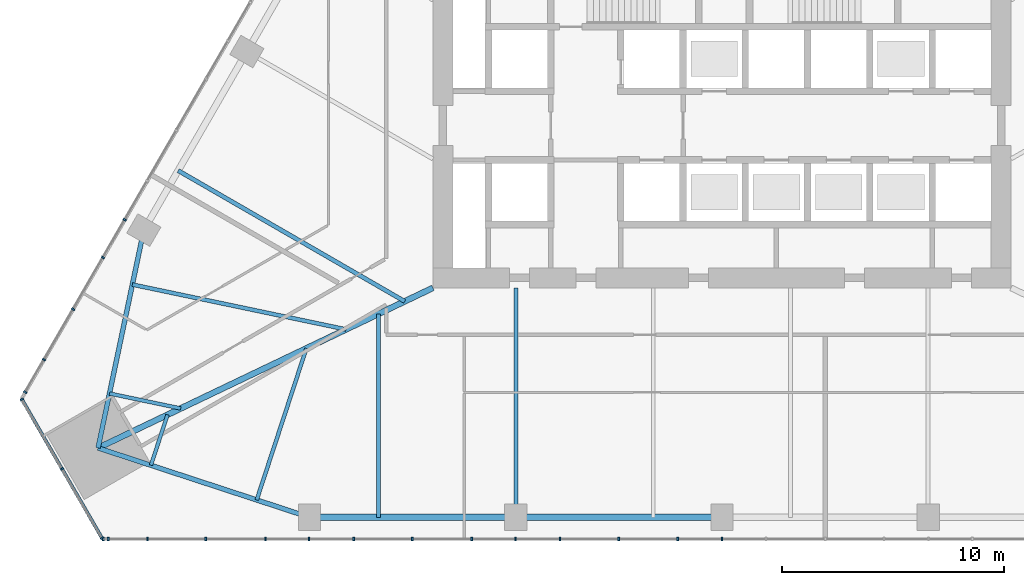
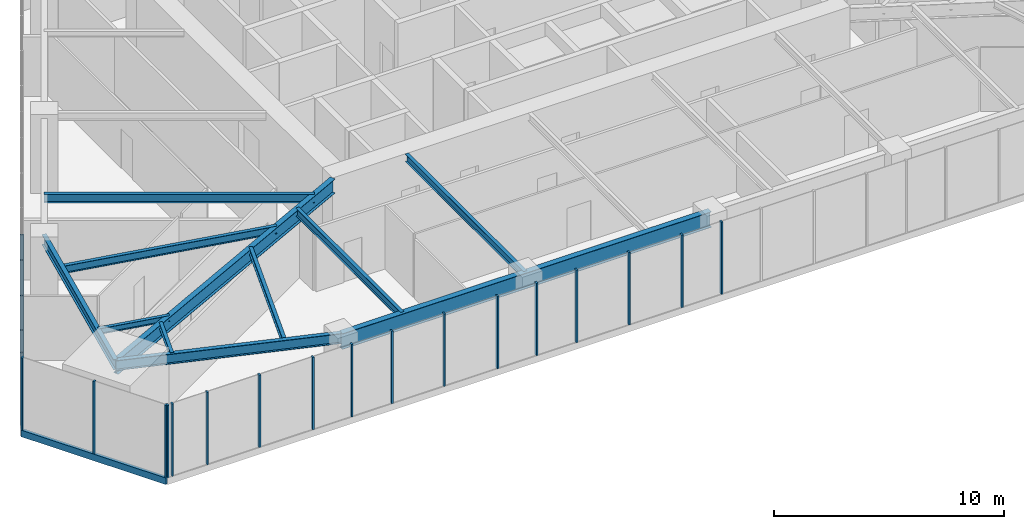
# One storey, part 2 of 22: 23 members, 11 beams, 3 elements without a shape of their own.
"""IFC4 building model written with IfcOpenShell, lengths in metres."""

import ifcopenshell
import ifcopenshell.guid

model = None  # the IFC model being written
_history = None  # IfcOwnerHistory: only IFC2X3 demands one
_inside = {}  # id of a spatial element -> (the spatial element, [elements in it])
_under = {}  # id of a project, library or spatial element -> (it, [spatial elements below it])
_declared = {}  # id of a project -> (the project, [libraries it declares])
_typed = {}  # id of a type object -> (the type object, [elements of that type])
_made_of = {}  # id of a material, layer set ... -> (it, [elements and type objects made of it])


def new_model(schema):
    """Start an empty IFC model of exactly this schema.

    Asked for "IFC4X3", IfcOpenShell would pick the latest addendum, in which some entities
    have other attributes; the version numbers below select the first issue.
    IFC2X3 requires an IfcOwnerHistory on every rooted entity: one is made here for all.
    """
    global model, _history
    if schema == "IFC4X3":
        model = ifcopenshell.file(schema_version=(4, 3, 0, 0))
    else:
        model = ifcopenshell.file(schema=schema)
    _inside.clear()
    _under.clear()
    _declared.clear()
    _typed.clear()
    _made_of.clear()
    _history = None
    if model.schema == "IFC2X3":
        org = make("IfcOrganization", Name="unknown")
        user = make(
            "IfcPersonAndOrganization",
            ThePerson=make("IfcPerson", FamilyName="unknown"),
            TheOrganization=org,
        )
        app = make(
            "IfcApplication",
            ApplicationDeveloper=org,
            Version="unknown",
            ApplicationFullName="unknown",
            ApplicationIdentifier="unknown",
        )
        _history = make(
            "IfcOwnerHistory",
            OwningUser=user,
            OwningApplication=app,
            ChangeAction="ADDED",
            CreationDate=0,
        )
    return model


def make(cls, **values):
    """One entity of the class cls with the attributes given. An attribute that is None is left unset."""
    return model.create_entity(
        cls, **{name: value for name, value in values.items() if value is not None}
    )


def rooted(cls, **values):
    """An entity with a GlobalId (a new one), such as an element, a storey or a relation."""
    return make(cls, GlobalId=ifcopenshell.guid.new(), OwnerHistory=_history, **values)


def si_unit(unit_type, name, prefix=None):
    """IfcSIUnit, for example si_unit("LENGTHUNIT", "METRE", prefix="MILLI")."""
    return make("IfcSIUnit", UnitType=unit_type, Prefix=prefix, Name=name)


def assignment(units):
    """IfcUnitAssignment: the units of a project."""
    return None if units is None else make("IfcUnitAssignment", Units=units)


def point(xyz):
    """IfcCartesianPoint."""
    return None if xyz is None else make("IfcCartesianPoint", Coordinates=xyz)


def direction(xyz):
    """IfcDirection."""
    return None if xyz is None else make("IfcDirection", DirectionRatios=xyz)


def frame(location, z_axis=None, x_axis=None):
    """IfcAxis2Placement3D, a coordinate frame: its origin and axes. An axis left out is left unset."""
    return make(
        "IfcAxis2Placement3D",
        Location=point(location),
        Axis=direction(z_axis),
        RefDirection=direction(x_axis),
    )


def frame_2d(location, x_axis=None):
    """IfcAxis2Placement2D, a coordinate frame in the plane: its origin and x axis."""
    return make(
        "IfcAxis2Placement2D", Location=point(location), RefDirection=direction(x_axis)
    )


def origin():
    """The frame at (0, 0, 0) with its axes left unset."""
    return frame((0.0, 0.0, 0.0))


def origin_2d():
    """The frame at (0, 0) in the plane with its x axis left unset."""
    return frame_2d((0.0, 0.0))


def place(relative_to, where):
    """IfcLocalPlacement: puts the frame where relative to a parent placement (None: the world)."""
    return make(
        "IfcLocalPlacement", PlacementRelTo=relative_to, RelativePlacement=where
    )


def context(
    kind, dimensions, precision=None, world=None, true_north=None, identifier=None
):
    """IfcGeometricRepresentationContext, for example the 3D "Model" context."""
    return make(
        "IfcGeometricRepresentationContext",
        ContextIdentifier=identifier,
        ContextType=kind,
        CoordinateSpaceDimension=dimensions,
        Precision=precision,
        WorldCoordinateSystem=world,
        TrueNorth=true_north,
    )


def subcontext(parent, identifier, kind, view, scale=None):
    """IfcGeometricRepresentationSubContext, for example "Body" below "Model"."""
    return make(
        "IfcGeometricRepresentationSubContext",
        ContextIdentifier=identifier,
        ContextType=kind,
        ParentContext=parent,
        TargetScale=scale,
        TargetView=view,
    )


def project(units=None, contexts=None):
    """IfcProject with its units and contexts."""
    return rooted(
        "IfcProject",
        Name="project",
        RepresentationContexts=contexts,
        UnitsInContext=assignment(units),
    )


def spatial(cls, under=None, at=None, **own):
    """A site, building, storey or space (cls), placed at a placement, below another one or the project."""
    s = rooted(cls, ObjectPlacement=at, **own)
    if under is not None:
        _under.setdefault(under.id(), (under, []))[1].append(s)
    return s


def profile(cls, at=None, kind="AREA", **sizes):
    """A parametric profile (cls). Its sizes go by their IFC names, for example OverallWidth=200.0."""
    return make(cls, ProfileType=kind, Position=at, **sizes)


def rectangle(**sizes):
    """IfcRectangleProfileDef."""
    return profile("IfcRectangleProfileDef", **sizes)


def i_section(**sizes):
    """IfcIShapeProfileDef."""
    return profile("IfcIShapeProfileDef", **sizes)


def extrude(swept, where, along, depth):
    """IfcExtrudedAreaSolid: the profile swept, set in the frame where, extruded along a direction by depth."""
    return make(
        "IfcExtrudedAreaSolid",
        SweptArea=swept,
        Position=where,
        ExtrudedDirection=direction(along),
        Depth=depth,
    )


def shape(context_of_items, identifier, shape_type, items):
    """IfcShapeRepresentation: the items that make up one representation, for example the "Body"."""
    return make(
        "IfcShapeRepresentation",
        ContextOfItems=context_of_items,
        RepresentationIdentifier=identifier,
        RepresentationType=shape_type,
        Items=items,
    )


def material(Name=None, Category=None):
    """IfcMaterial."""
    return make("IfcMaterial", Name=Name, Category=Category)


def layer(
    of_material, thickness, ventilated=None, Name=None, Category=None, Priority=None
):
    """IfcMaterialLayer: one layer of a wall or slab, of a material (None: an air gap)."""
    return make(
        "IfcMaterialLayer",
        Material=of_material,
        LayerThickness=thickness,
        IsVentilated=ventilated,
        Name=Name,
        Category=Category,
        Priority=Priority,
    )


def layer_set(layers, Name=None):
    """IfcMaterialLayerSet."""
    return make("IfcMaterialLayerSet", MaterialLayers=layers, LayerSetName=Name)


def material_profile(
    of_material, cross_section, Name=None, Category=None, Priority=None
):
    """IfcMaterialProfile: a cross section and its material."""
    return make(
        "IfcMaterialProfile",
        Name=Name,
        Material=of_material,
        Profile=cross_section,
        Priority=Priority,
        Category=Category,
    )


def profile_set(profiles, Name=None, composite=None):
    """IfcMaterialProfileSet."""
    return make(
        "IfcMaterialProfileSet",
        Name=Name,
        MaterialProfiles=profiles,
        CompositeProfile=composite,
    )


def made_of(thing, what):
    """Note that an element or type object is made of a material, layer set ...; save() writes the relation."""
    if what is not None:
        _made_of.setdefault(what.id(), (what, []))[1].append(thing)
    return thing


def type_object(cls, material=None, **own):
    """A type object (cls), such as IfcWallType, which elements share."""
    return made_of(rooted(cls, **own), material)


def element(
    cls,
    number,
    at=None,
    inside=None,
    cuts=None,
    type_object=None,
    material=None,
    context=None,
    identifier="Body",
    shape_type=None,
    held_by="IfcProductDefinitionShape",
    body=None,
    shapes=None,
    **own,
):
    """One element of the class cls, such as IfcWall. Its Tag is "e" and its number.

    at: its placement. inside: the storey or other place that contains it. cuts: it is an
    opening in that element (IfcRelVoidsElement). A single representation is given by context,
    identifier, shape_type and body (its items); several are given by shapes. held_by: the class
    of the entity that holds the representations. save() writes the other relations.
    """
    e = rooted(cls, Tag="e%d" % number, ObjectPlacement=at, **own)
    if body is not None:
        shapes = [shape(context, identifier, shape_type, body)]
    if shapes is not None:
        e.Representation = make(held_by, Representations=shapes)
    if inside is not None:
        _inside.setdefault(inside.id(), (inside, []))[1].append(e)
    if cuts is not None:
        rooted(
            "IfcRelVoidsElement", RelatingBuildingElement=cuts, RelatedOpeningElement=e
        )
    if type_object is not None:
        _typed.setdefault(type_object.id(), (type_object, []))[1].append(e)
    return made_of(e, material)


def aggregate(whole, parts):
    """IfcRelAggregates: a whole, such as a stair, and the parts it consists of."""
    return rooted("IfcRelAggregates", RelatingObject=whole, RelatedObjects=parts)


def save(model, path):
    """Write the relations noted so far, then the file.

    IfcRelAggregates (storeys below a building ...), IfcRelContainedInSpatialStructure (elements
    in a storey), IfcRelDefinesByType, IfcRelAssociatesMaterial and IfcRelDeclares: one each for
    every whole, place, type object, material and project.
    """
    for whole, parts in _under.values():
        aggregate(whole, parts)
    for where, things in _inside.values():
        rooted(
            "IfcRelContainedInSpatialStructure",
            RelatedElements=things,
            RelatingStructure=where,
        )
    for kind, things in _typed.values():
        rooted("IfcRelDefinesByType", RelatedObjects=things, RelatingType=kind)
    for what, things in _made_of.values():
        rooted("IfcRelAssociatesMaterial", RelatedObjects=things, RelatingMaterial=what)
    for by, libraries in _declared.values():
        rooted("IfcRelDeclares", RelatingContext=by, RelatedDefinitions=libraries)
    model.write(path)


model = new_model("IFC4")

# Units and contexts
model_context = context("Model", 3, precision=1e-05, world=origin(), true_north=direction((0.0, 1.0)))
body_context = subcontext(model_context, "Body", "Model", "MODEL_VIEW")
ifc_project = project(units=[si_unit("LENGTHUNIT", "METRE"), si_unit("AREAUNIT", "SQUARE_METRE"), si_unit("VOLUMEUNIT", "CUBIC_METRE"), si_unit("PLANEANGLEUNIT", "RADIAN"), si_unit("MASSUNIT", "GRAM", prefix="KILO")], contexts=[model_context])

# Site, building, storey
site_placement = place(None, origin())
site = spatial("IfcSite", under=ifc_project, at=site_placement, CompositionType="ELEMENT")
building_placement = place(site_placement, origin())
building = spatial("IfcBuilding", under=site, at=building_placement, Name="Firuza Gate Tower and Library", CompositionType="ELEMENT")
storey_placement = place(building_placement, frame((0.0, 0.0, 132.39990234375)))
storey = spatial("IfcBuildingStorey", under=building, at=storey_placement, Name="L30", CompositionType="ELEMENT", Elevation=132.39990234375)

# Curtain wall, members
ifc_material_1 = material(Name="Aluminium 6063-T6", Category="aluminium")
ifc_layer_1 = layer(ifc_material_1, 0.14990234375)
ifc_layer_set_1 = layer_set([ifc_layer_1], Name="Unitised curtain wall, offices")
curtain_wall_type_1 = type_object("IfcCurtainWallType", Name="Unitised curtain wall, offices", PredefinedType="NOTDEFINED", material=ifc_layer_set_1)
placement = place(storey_placement, origin())
curtain_wall_1 = element("IfcCurtainWall", 1, at=placement, inside=storey, type_object=curtain_wall_type_1, Name="CW1 L30 S face", PredefinedType="NOTDEFINED")
ifc_material_2 = material(Name="Aluminium 6063-T6", Category="aluminium")
ifc_material_profile_1 = material_profile(ifc_material_2, rectangle(XDim=0.14990234375, YDim=0.080078125, at=origin_2d()))
ifc_profile_set_1 = profile_set([ifc_material_profile_1], Name="Aluminium 6063-T6")
member_type_1 = type_object("IfcMemberType", Name="Curtain wall mullion 80x150", PredefinedType="MULLION", material=ifc_profile_set_1)
member_1_placement = place(storey_placement, frame((47.179931640625, 54.7080078125, 0.150146484375), z_axis=(0.0, 0.0, 1.0), x_axis=(0.0, 1.0, 0.0)))
member_1 = element("IfcMember", 2, at=member_1_placement, type_object=member_type_1, Name="Mullion", PredefinedType="MULLION", context=body_context, shape_type="SweptSolid", body=[
    extrude(rectangle(XDim=0.14990234375, YDim=0.080078125, at=origin_2d()), origin(), (0.0, 0.0, 1.0), 3.849853515625),
])
member_2_placement = place(storey_placement, frame((51.783203125, 54.7080078125, 0.150146484375), z_axis=(0.0, 0.0, 1.0), x_axis=(0.0, 1.0, 0.0)))
member_2 = element("IfcMember", 3, at=member_2_placement, type_object=member_type_1, Name="Mullion", PredefinedType="MULLION", context=body_context, shape_type="SweptSolid", body=[
    extrude(rectangle(XDim=0.14990234375, YDim=0.080078125, at=origin_2d()), origin(), (0.0, 0.0, 1.0), 3.849853515625),
])
member_3_placement = place(storey_placement, frame((56.426513671875, 54.7080078125, 0.150146484375), z_axis=(0.0, 0.0, 1.0), x_axis=(0.0, 1.0, 0.0)))
member_3 = element("IfcMember", 4, at=member_3_placement, type_object=member_type_1, Name="Mullion", PredefinedType="MULLION", context=body_context, shape_type="SweptSolid", body=[
    extrude(rectangle(XDim=0.14990234375, YDim=0.080078125, at=origin_2d()), origin(), (0.0, 0.0, 1.0), 3.849853515625),
])
member_4_placement = place(storey_placement, frame((61.06982421875, 54.7080078125, 0.150146484375), z_axis=(0.0, 0.0, 1.0), x_axis=(0.0, 1.0, 0.0)))
member_4 = element("IfcMember", 5, at=member_4_placement, type_object=member_type_1, Name="Mullion", PredefinedType="MULLION", context=body_context, shape_type="SweptSolid", body=[
    extrude(rectangle(XDim=0.14990234375, YDim=0.080078125, at=origin_2d()), origin(), (0.0, 0.0, 1.0), 3.849853515625),
])
member_5_placement = place(storey_placement, frame((65.71337890625, 54.7080078125, 0.150146484375), z_axis=(0.0, 0.0, 1.0), x_axis=(0.0, 1.0, 0.0)))
member_5 = element("IfcMember", 6, at=member_5_placement, type_object=member_type_1, Name="Mullion", PredefinedType="MULLION", context=body_context, shape_type="SweptSolid", body=[
    extrude(rectangle(XDim=0.14990234375, YDim=0.080078125, at=origin_2d()), origin(), (0.0, 0.0, 1.0), 3.849853515625),
])
member_6_placement = place(storey_placement, frame((70.356689453125, 54.7080078125, 0.150146484375), z_axis=(0.0, 0.0, 1.0), x_axis=(0.0, 1.0, 0.0)))
member_6 = element("IfcMember", 7, at=member_6_placement, type_object=member_type_1, Name="Mullion", PredefinedType="MULLION", context=body_context, shape_type="SweptSolid", body=[
    extrude(rectangle(XDim=0.14990234375, YDim=0.080078125, at=origin_2d()), origin(), (0.0, 0.0, 1.0), 3.849853515625),
])
member_7_placement = place(storey_placement, frame((75.0, 54.7080078125, 0.150146484375), z_axis=(0.0, 0.0, 1.0), x_axis=(0.0, 1.0, 0.0)))
member_7 = element("IfcMember", 8, at=member_7_placement, type_object=member_type_1, Name="Mullion", PredefinedType="MULLION", context=body_context, shape_type="SweptSolid", body=[
    extrude(rectangle(XDim=0.14990234375, YDim=0.080078125, at=origin_2d()), origin(), (0.0, 0.0, 1.0), 3.849853515625),
])
member_8_placement = place(storey_placement, frame((47.406005859375, 54.7080078125, 0.150146484375), z_axis=(0.0, 0.0, 1.0), x_axis=(0.0, 1.0, 0.0)))
member_8 = element("IfcMember", 9, at=member_8_placement, type_object=member_type_1, Name="Mullion", PredefinedType="MULLION", context=body_context, shape_type="SweptSolid", body=[
    extrude(rectangle(XDim=0.14990234375, YDim=0.080078125, at=origin_2d()), origin(), (0.0, 0.0, 1.0), 3.849853515625),
])
member_9_placement = place(storey_placement, frame((49.166748046875, 54.7080078125, 0.150146484375), z_axis=(0.0, 0.0, 1.0), x_axis=(0.0, 1.0, 0.0)))
member_9 = element("IfcMember", 10, at=member_9_placement, type_object=member_type_1, Name="Mullion", PredefinedType="MULLION", context=body_context, shape_type="SweptSolid", body=[
    extrude(rectangle(XDim=0.14990234375, YDim=0.080078125, at=origin_2d()), origin(), (0.0, 0.0, 1.0), 3.849853515625),
])
member_10_placement = place(storey_placement, frame((54.4716796875, 54.7080078125, 0.150146484375), z_axis=(0.0, 0.0, 1.0), x_axis=(0.0, 1.0, 0.0)))
member_10 = element("IfcMember", 11, at=member_10_placement, type_object=member_type_1, Name="Mullion", PredefinedType="MULLION", context=body_context, shape_type="SweptSolid", body=[
    extrude(rectangle(XDim=0.14990234375, YDim=0.080078125, at=origin_2d()), origin(), (0.0, 0.0, 1.0), 3.849853515625),
])
member_11_placement = place(storey_placement, frame((58.439208984375, 54.7080078125, 0.150146484375), z_axis=(0.0, 0.0, 1.0), x_axis=(0.0, 1.0, 0.0)))
member_11 = element("IfcMember", 12, at=member_11_placement, type_object=member_type_1, Name="Mullion", PredefinedType="MULLION", context=body_context, shape_type="SweptSolid", body=[
    extrude(rectangle(XDim=0.14990234375, YDim=0.080078125, at=origin_2d()), origin(), (0.0, 0.0, 1.0), 3.849853515625),
])
member_12_placement = place(storey_placement, frame((63.744140625, 54.7080078125, 0.150146484375), z_axis=(0.0, 0.0, 1.0), x_axis=(0.0, 1.0, 0.0)))
member_12 = element("IfcMember", 13, at=member_12_placement, type_object=member_type_1, Name="Mullion", PredefinedType="MULLION", context=body_context, shape_type="SweptSolid", body=[
    extrude(rectangle(XDim=0.14990234375, YDim=0.080078125, at=origin_2d()), origin(), (0.0, 0.0, 1.0), 3.849853515625),
])
member_13_placement = place(storey_placement, frame((67.71142578125, 54.7080078125, 0.150146484375), z_axis=(0.0, 0.0, 1.0), x_axis=(0.0, 1.0, 0.0)))
member_13 = element("IfcMember", 14, at=member_13_placement, type_object=member_type_1, Name="Mullion", PredefinedType="MULLION", context=body_context, shape_type="SweptSolid", body=[
    extrude(rectangle(XDim=0.14990234375, YDim=0.080078125, at=origin_2d()), origin(), (0.0, 0.0, 1.0), 3.849853515625),
])
member_14_placement = place(storey_placement, frame((73.016357421875, 54.7080078125, 0.150146484375), z_axis=(0.0, 0.0, 1.0), x_axis=(0.0, 1.0, 0.0)))
member_14 = element("IfcMember", 15, at=member_14_placement, type_object=member_type_1, Name="Mullion", PredefinedType="MULLION", context=body_context, shape_type="SweptSolid", body=[
    extrude(rectangle(XDim=0.14990234375, YDim=0.080078125, at=origin_2d()), origin(), (0.0, 0.0, 1.0), 3.849853515625),
])
aggregate(curtain_wall_1, [member_1, member_2, member_3, member_4, member_5, member_6, member_7, member_8, member_9, member_10, member_11, member_12, member_13, member_14])

curtain_wall_2 = element("IfcCurtainWall", 16, at=placement, inside=storey, type_object=curtain_wall_type_1, Name="CW1 L30 W face", PredefinedType="NOTDEFINED")
member_15_placement = place(storey_placement, frame((48.139892578125, 69.06103515625, 0.150146484375), z_axis=(0.0, 0.0, 1.0), x_axis=(0.866025403784, -0.5, 0.0)))
member_15 = element("IfcMember", 17, at=member_15_placement, type_object=member_type_1, Name="Mullion", PredefinedType="MULLION", context=body_context, shape_type="SweptSolid", body=[
    extrude(rectangle(XDim=0.14990234375, YDim=0.080078125, at=origin_2d()), origin(), (0.0, 0.0, 1.0), 3.849853515625),
])
member_16_placement = place(storey_placement, frame((45.818115234375, 65.03955078125, 0.150146484375), z_axis=(0.0, 0.0, 1.0), x_axis=(0.866025403784, -0.5, 0.0)))
member_16 = element("IfcMember", 18, at=member_16_placement, type_object=member_type_1, Name="Mullion", PredefinedType="MULLION", context=body_context, shape_type="SweptSolid", body=[
    extrude(rectangle(XDim=0.14990234375, YDim=0.080078125, at=origin_2d()), origin(), (0.0, 0.0, 1.0), 3.849853515625),
])
member_17_placement = place(storey_placement, frame((47.16259765625, 67.367919921875, 0.150146484375), z_axis=(0.0, 0.0, 1.0), x_axis=(0.866025403784, -0.5, 0.0)))
member_17 = element("IfcMember", 19, at=member_17_placement, type_object=member_type_1, Name="Mullion", PredefinedType="MULLION", context=body_context, shape_type="SweptSolid", body=[
    extrude(rectangle(XDim=0.14990234375, YDim=0.080078125, at=origin_2d()), origin(), (0.0, 0.0, 1.0), 3.849853515625),
])
member_18_placement = place(storey_placement, frame((44.510009765625, 62.77392578125, 0.150146484375), z_axis=(0.0, 0.0, 1.0), x_axis=(0.866025403784, -0.5, 0.0)))
member_18 = element("IfcMember", 20, at=member_18_placement, type_object=member_type_1, Name="Mullion", PredefinedType="MULLION", context=body_context, shape_type="SweptSolid", body=[
    extrude(rectangle(XDim=0.14990234375, YDim=0.080078125, at=origin_2d()), origin(), (0.0, 0.0, 1.0), 3.849853515625),
])
member_19_placement = place(storey_placement, frame((43.662109375, 61.30517578125, 0.150146484375), z_axis=(0.0, 0.0, 1.0), x_axis=(0.866025403784, -0.5, 0.0)))
member_19 = element("IfcMember", 21, at=member_19_placement, type_object=member_type_1, Name="Mullion", PredefinedType="MULLION", context=body_context, shape_type="SweptSolid", body=[
    extrude(rectangle(XDim=0.14990234375, YDim=0.080078125, at=origin_2d()), origin(), (0.0, 0.0, 1.0), 3.849853515625),
])
aggregate(curtain_wall_2, [member_15, member_16, member_17, member_18, member_19])

ifc_material_3 = material(Name="Aluminium 6063-T6", Category="aluminium")
ifc_layer_2 = layer(ifc_material_3, 0.14990234375)
ifc_layer_set_2 = layer_set([ifc_layer_2], Name="Corner curtain wall, chamfers")
curtain_wall_type_2 = type_object("IfcCurtainWallType", Name="Corner curtain wall, chamfers", PredefinedType="NOTDEFINED", material=ifc_layer_set_2)
curtain_wall_3 = element("IfcCurtainWall", 22, at=placement, inside=storey, type_object=curtain_wall_type_2, Name="CW4 L30 SW corner", PredefinedType="NOTDEFINED")
member_20_placement = place(storey_placement, frame((43.5166015625, 60.983642578125, 0.150146484375), z_axis=(0.0, 0.0, 1.0), x_axis=(0.866025403784, 0.5, 0.0)))
member_20 = element("IfcMember", 23, at=member_20_placement, type_object=member_type_1, Name="Mullion", PredefinedType="MULLION", context=body_context, shape_type="SweptSolid", body=[
    extrude(rectangle(XDim=0.14990234375, YDim=0.080078125, at=origin_2d()), origin(), (0.0, 0.0, 1.0), 3.849853515625),
])
member_21_placement = place(storey_placement, frame((45.318115234375, 57.86328125, 0.150146484375), z_axis=(0.0, 0.0, 1.0), x_axis=(0.866025403784, 0.5, 0.0)))
member_21 = element("IfcMember", 24, at=member_21_placement, type_object=member_type_1, Name="Mullion", PredefinedType="MULLION", context=body_context, shape_type="SweptSolid", body=[
    extrude(rectangle(XDim=0.14990234375, YDim=0.080078125, at=origin_2d()), origin(), (0.0, 0.0, 1.0), 3.849853515625),
])
member_22_placement = place(storey_placement, frame((47.119873046875, 54.74267578125, 0.150146484375), z_axis=(0.0, 0.0, 1.0), x_axis=(0.866025403784, 0.5, 0.0)))
member_22 = element("IfcMember", 25, at=member_22_placement, type_object=member_type_1, Name="Mullion", PredefinedType="MULLION", context=body_context, shape_type="SweptSolid", body=[
    extrude(rectangle(XDim=0.14990234375, YDim=0.080078125, at=origin_2d()), origin(), (0.0, 0.0, 1.0), 3.849853515625),
])
ifc_material_4 = material(Name="Aluminium 6063-T6", Category="aluminium")
ifc_material_profile_2 = material_profile(ifc_material_4, rectangle(XDim=0.14990234375, YDim=0.35009765625, at=origin_2d()))
ifc_profile_set_2 = profile_set([ifc_material_profile_2], Name="Aluminium 6063-T6")
member_type_2 = type_object("IfcMemberType", Name="Curtain wall transom 350x150", PredefinedType="USERDEFINED", material=ifc_profile_set_2)
member_23_placement = place(storey_placement, frame((43.49658203125, 61.018310546875, -0.02490234375), z_axis=(0.500005719219, -0.866022101766, 0.0), x_axis=(0.866022101766, 0.500005719219, 0.0)))
member_23 = element("IfcMember", 26, at=member_23_placement, type_object=member_type_2, Name="Transom", ObjectType="TRANSOM", PredefinedType="USERDEFINED", context=body_context, shape_type="SweptSolid", body=[
    extrude(rectangle(XDim=0.14990234375, YDim=0.35009765625, at=origin_2d()), origin(), (0.0, 0.0, 1.0), 7.28662109375),
])
aggregate(curtain_wall_3, [member_20, member_21, member_22, member_23])

# Beams
ifc_material_5 = material(Name="Steel S355", Category="steel")
ifc_material_profile_3 = material_profile(ifc_material_5, i_section(OverallWidth=0.1650390625, OverallDepth=0.31005859375, WebThickness=0.005859375, FlangeThickness=0.009765625, at=origin_2d()))
ifc_profile_set_3 = profile_set([ifc_material_profile_3], Name="Steel S355")
beam_type_1 = type_object("IfcBeamType", Name="W310x39 Floor beam", PredefinedType="JOIST", material=ifc_profile_set_3)
beam_1_placement = place(storey_placement, frame((47.4560546875, 61.250244140625, 3.84521484375), z_axis=(0.978668348175, -0.2054464998, 0.0), x_axis=(0.2054464998, 0.978668348175, 0.0)))
element("IfcBeam", 27, at=beam_1_placement, inside=storey, type_object=beam_type_1, Name="Floor beam L30 s01", PredefinedType="JOIST", context=body_context, shape_type="SweptSolid", body=[
    extrude(i_section(OverallWidth=0.1650390625, OverallDepth=0.31005859375, WebThickness=0.005859375, FlangeThickness=0.009765625, at=origin_2d()), origin(), (0.0, 0.0, 1.0), 3.272705078125),
])
beam_2_placement = place(storey_placement, frame((49.3203125, 58.021240234375, 3.84521484375), z_axis=(0.311446407366, 0.950263718837, 0.0), x_axis=(-0.950263718837, 0.311446407366, 0.0)))
element("IfcBeam", 28, at=beam_2_placement, inside=storey, type_object=beam_type_1, Name="Floor beam L30 s10", PredefinedType="JOIST", context=body_context, shape_type="SweptSolid", body=[
    extrude(i_section(OverallWidth=0.1650390625, OverallDepth=0.31005859375, WebThickness=0.005859375, FlangeThickness=0.009765625, at=origin_2d()), origin(), (0.0, 0.0, 1.0), 2.3916015625),
])
ifc_material_6 = material(Name="Steel S355", Category="steel")
ifc_material_profile_4 = material_profile(ifc_material_6, i_section(OverallWidth=0.1708984375, OverallDepth=0.35498046875, WebThickness=0.007080078125, FlangeThickness=0.01171875, at=origin_2d()))
ifc_profile_set_4 = profile_set([ifc_material_profile_4], Name="Steel S355")
beam_type_2 = type_object("IfcBeamType", Name="W360x51 Floor beam", PredefinedType="JOIST", material=ifc_profile_set_4)
beam_3_placement = place(storey_placement, frame((54.0771484375, 56.46240234375, 3.822509765625), z_axis=(0.311395022273, 0.950280558627, 0.0), x_axis=(-0.950280558627, 0.311395022273, 0.0)))
element("IfcBeam", 29, at=beam_3_placement, inside=storey, type_object=beam_type_2, Name="Floor beam L30 s11", PredefinedType="JOIST", context=body_context, shape_type="SweptSolid", body=[
    extrude(i_section(OverallWidth=0.1708984375, OverallDepth=0.35498046875, WebThickness=0.007080078125, FlangeThickness=0.01171875, at=origin_2d()), origin(), (0.0, 0.0, 1.0), 7.174560546875),
])
ifc_material_7 = material(Name="Steel S355", Category="steel")
ifc_material_profile_5 = material_profile(ifc_material_7, i_section(OverallWidth=0.177978515625, OverallDepth=0.406982421875, WebThickness=0.0078125, FlangeThickness=0.0126953125, at=origin_2d()))
ifc_profile_set_5 = profile_set([ifc_material_profile_5], Name="Steel S355")
beam_type_3 = type_object("IfcBeamType", Name="W410x60 Floor beam", PredefinedType="JOIST", material=ifc_profile_set_5)
beam_4_placement = place(storey_placement, frame((48.484619140625, 66.14892578125, 3.796630859375), z_axis=(0.978672298286, -0.205427682085, 0.0), x_axis=(0.205427682085, 0.978672298286, 0.0)))
element("IfcBeam", 30, at=beam_4_placement, inside=storey, type_object=beam_type_3, Name="Floor beam L30 s00", PredefinedType="JOIST", context=body_context, shape_type="SweptSolid", body=[
    extrude(i_section(OverallWidth=0.177978515625, OverallDepth=0.406982421875, WebThickness=0.0078125, FlangeThickness=0.0126953125, at=origin_2d()), origin(), (0.0, 0.0, 1.0), 9.81787109375),
])
beam_5_placement = place(storey_placement, frame((59.546142578125, 55.68310546875, 3.796630859375), z_axis=(0.0, 1.0, 0.0), x_axis=(-1.0, 0.0, 0.0)))
element("IfcBeam", 31, at=beam_5_placement, inside=storey, type_object=beam_type_3, Name="Floor beam L30 s20", PredefinedType="JOIST", context=body_context, shape_type="SweptSolid", body=[
    extrude(i_section(OverallWidth=0.177978515625, OverallDepth=0.406982421875, WebThickness=0.0078125, FlangeThickness=0.0126953125, at=origin_2d()), origin(), (0.0, 0.0, 1.0), 9.143798828125),
])
beam_6_placement = place(storey_placement, frame((65.727783203125, 55.68310546875, 3.796630859375), z_axis=(0.0, 1.0, 0.0), x_axis=(-1.0, 0.0, 0.0)))
element("IfcBeam", 32, at=beam_6_placement, inside=storey, type_object=beam_type_3, Name="Floor beam L30 s21", PredefinedType="JOIST", context=body_context, shape_type="SweptSolid", body=[
    extrude(i_section(OverallWidth=0.177978515625, OverallDepth=0.406982421875, WebThickness=0.0078125, FlangeThickness=0.0126953125, at=origin_2d()), origin(), (0.0, 0.0, 1.0), 10.31689453125),
])
ifc_material_8 = material(Name="Steel S355", Category="steel")
ifc_material_profile_6 = material_profile(ifc_material_8, i_section(OverallWidth=0.18994140625, OverallDepth=0.45703125, WebThickness=0.009033203125, FlangeThickness=0.014404296875, at=origin_2d()))
ifc_profile_set_6 = profile_set([ifc_material_profile_6], Name="Steel S355")
beam_type_4 = type_object("IfcBeamType", Name="W460x74 Floor beam", PredefinedType="JOIST", material=ifc_profile_set_6)
beam_7_placement = place(storey_placement, frame((50.544189453125, 71.275146484375, 3.771484375), z_axis=(0.866026254694, -0.499998526178, 0.0), x_axis=(0.499998526178, 0.866026254694, 0.0)))
element("IfcBeam", 33, at=beam_7_placement, inside=storey, type_object=beam_type_4, Name="Floor beam L30 s85", PredefinedType="JOIST", context=body_context, shape_type="SweptSolid", body=[
    extrude(i_section(OverallWidth=0.18994140625, OverallDepth=0.45703125, WebThickness=0.009033203125, FlangeThickness=0.014404296875, at=origin_2d()), origin(), (0.0, 0.0, 1.0), 11.76318359375),
])
ifc_material_9 = material(Name="Steel S355", Category="steel")
ifc_material_profile_7 = material_profile(ifc_material_9, i_section(OverallWidth=0.212890625, OverallDepth=0.5390625, WebThickness=0.01171875, FlangeThickness=0.018798828125, at=origin_2d()))
ifc_profile_set_7 = profile_set([ifc_material_profile_7], Name="Steel S355")
beam_type_5 = type_object("IfcBeamType", Name="W530x109 Edge beam", PredefinedType="SPANDREL", material=ifc_profile_set_7)
for number, where, z_axis, x_axis, name in (
    (34, (48.998779296875, 68.598388671875, 3.730712890625), (-0.205458608485, -0.978665806187, 0.0), (0.978665806187, -0.205458608485, 0.0), "Edge beam L30 e00"),
    (35, (46.94189453125, 58.80078125, 3.730712890625), (0.950273322164, -0.311417104833, 0.0), (0.311417104833, 0.950273322164, 0.0), "Edge beam L30 e10"),
):
    element("IfcBeam", number, at=place(storey_placement, frame(where, z_axis=z_axis, x_axis=x_axis)), inside=storey, type_object=beam_type_5, Name=name, PredefinedType="SPANDREL", context=body_context, shape_type="SweptSolid", body=[
        extrude(i_section(OverallWidth=0.212890625, OverallDepth=0.5390625, WebThickness=0.01171875, FlangeThickness=0.018798828125, at=origin_2d()), origin(), (0.0, 0.0, 1.0), 10.01123046875),
    ])
ifc_material_10 = material(Name="Steel S355", Category="steel")
ifc_material_profile_8 = material_profile(ifc_material_10, i_section(OverallWidth=0.264892578125, OverallDepth=0.7529296875, WebThickness=0.01318359375, FlangeThickness=0.01708984375, at=origin_2d()))
ifc_profile_set_8 = profile_set([ifc_material_profile_8], Name="Steel S355")
beam_type_6 = type_object("IfcBeamType", Name="W760x147 Girder", PredefinedType="BEAM", material=ifc_profile_set_8)
beam_8_placement = place(storey_placement, frame((46.94189453125, 58.80078125, 3.62353515625), z_axis=(0.902192138225, 0.431334378092, 0.0), x_axis=(-0.431334378092, 0.902192138225, 0.0)))
element("IfcBeam", 36, at=beam_8_placement, inside=storey, type_object=beam_type_6, Name="Girder L30 gSW", PredefinedType="BEAM", context=body_context, shape_type="SweptSolid", body=[
    extrude(i_section(OverallWidth=0.264892578125, OverallDepth=0.7529296875, WebThickness=0.01318359375, FlangeThickness=0.01708984375, at=origin_2d()), origin(), (0.0, 0.0, 1.0), 16.690673828125),
])
ifc_material_11 = material(Name="Steel S355", Category="steel")
ifc_material_profile_9 = material_profile(ifc_material_11, i_section(OverallWidth=0.2919921875, OverallDepth=0.8349609375, WebThickness=0.013916015625, FlangeThickness=0.018798828125, at=origin_2d()))
ifc_profile_set_9 = profile_set([ifc_material_profile_9], Name="Steel S355")
beam_type_7 = type_object("IfcBeamType", Name="W840x176 Edge beam", PredefinedType="SPANDREL", material=ifc_profile_set_9)
beam_9_placement = place(storey_placement, frame((56.455322265625, 55.68310546875, 3.58251953125), z_axis=(1.0, 0.0, 0.0), x_axis=(0.0, 1.0, 0.0)))
element("IfcBeam", 37, at=beam_9_placement, inside=storey, type_object=beam_type_7, Name="Edge beam L30 e20", PredefinedType="SPANDREL", context=body_context, shape_type="SweptSolid", body=[
    extrude(i_section(OverallWidth=0.2919921875, OverallDepth=0.8349609375, WebThickness=0.013916015625, FlangeThickness=0.018798828125, at=origin_2d()), origin(), (0.0, 0.0, 1.0), 18.544677734375),
])

save(model, "model.ifc")
